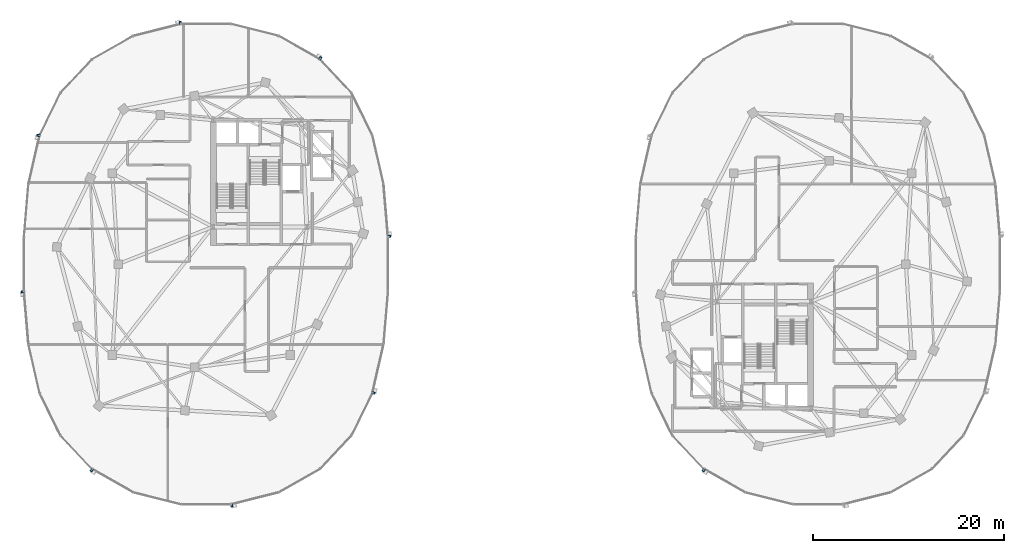
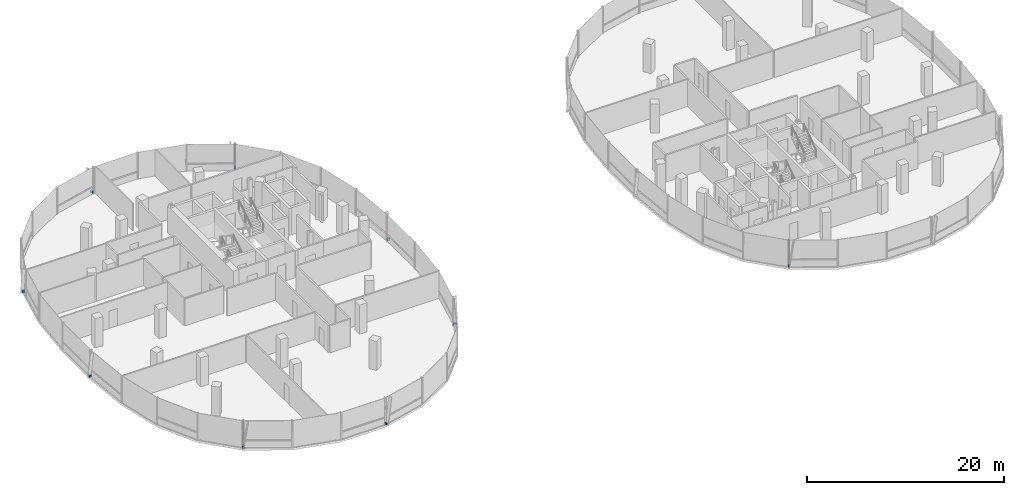
# One storey, part 19 of 25: 9 discrete accessories.
"""IFC4 building model written with IfcOpenShell, lengths in metres."""

from ifc_helpers import new_model, si_unit, direction, frame, origin, origin_2d, place, context, subcontext, project, spatial, rectangle, extrude, material, type_object, element, save


model = new_model("IFC4")

# Units and contexts
model_context = context("Model", 3, precision=1e-05, world=origin(), true_north=direction((0.0, 1.0)))
body_context = subcontext(model_context, "Body", "Model", "MODEL_VIEW")
ifc_project = project(units=[si_unit("LENGTHUNIT", "METRE"), si_unit("AREAUNIT", "SQUARE_METRE"), si_unit("VOLUMEUNIT", "CUBIC_METRE"), si_unit("PLANEANGLEUNIT", "RADIAN"), si_unit("MASSUNIT", "GRAM", prefix="KILO"), si_unit("THERMODYNAMICTEMPERATUREUNIT", "KELVIN"), si_unit("POWERUNIT", "WATT")], contexts=[model_context])

# Site, building, storey
site_placement = place(None, origin())
site = spatial("IfcSite", under=ifc_project, at=site_placement, CompositionType="ELEMENT")
building_placement = place(site_placement, origin())
building = spatial("IfcBuilding", under=site, at=building_placement, Name="Cundina Bronze Exchange", CompositionType="ELEMENT")
storey_placement = place(building_placement, frame((0.0, 0.0, 209.800048828125)))
storey = spatial("IfcBuildingStorey", under=building, at=storey_placement, Name="L55", CompositionType="ELEMENT", Elevation=209.800048828125)

# Discrete accessories
ifc_material = material(Name="Anodised Bronze Aluminium 6063-T6", Category="aluminium")
discrete_accessory_type = type_object("IfcDiscreteAccessoryType", Name="ACC-BRK-FIN", PredefinedType="BRACKET", material=ifc_material)
for number, where, z_axis, x_axis, name in (
    (1, (-12.84521484375, 2.893798828125, 0.10009765625), (0.0, 0.0, 1.0), (-0.083747411454, 0.996487015006, 0.0), "L55 Fin Support Bracket 1"),
    (2, (-20.038818359375, 21.539794921875, 0.10009765625), (0.0, 0.0, 1.0), (-0.869572506985, 0.493805280547, 0.0), "L55 Fin Support Bracket 5"),
    (3, (-34.678955078125, 25.23779296875, 0.10009765625), (0.0, 0.0, 1.0), (-0.969731542251, -0.244173577528, 0.0), "L55 Fin Support Bracket 1"),
    (4, (-49.529541015625, 13.468505859375, 0.10009765625), (0.0, 0.0, 1.0), (-0.223284141459, -0.974753400698, 0.0), "L55 Fin Support Bracket 5"),
    (5, (-51.15478515625, -2.893798828125, 0.10009765625), (0.0, 0.0, 1.0), (0.083747411454, -0.996487015006, 0.0), "L55 Fin Support Bracket 1"),
    (6, (-43.961181640625, -21.539794921875, 0.10009765625), (0.0, 0.0, 1.0), (0.869572506985, -0.493805280547, 0.0), "L55 Fin Support Bracket 5"),
    (7, (-29.321044921875, -25.23779296875, 0.10009765625), (0.0, 0.0, 1.0), (0.969731542251, 0.244173577528, 0.0), "L55 Fin Support Bracket 1"),
    (8, (-14.470458984375, -13.468505859375, 0.10009765625), (0.0, 0.0, 1.0), (0.223284141459, 0.974753400698, 0.0), "L55 Fin Support Bracket 5"),
    (9, (20.038818359375, -21.539794921875, 0.10009765625), (0.0, 0.0, 1.0), (0.869572506985, -0.493805280547, 0.0), "L55 Fin Support Bracket 5"),
):
    element("IfcDiscreteAccessory", number, at=place(storey_placement, frame(where, z_axis=z_axis, x_axis=x_axis)), inside=storey, type_object=discrete_accessory_type, Name=name, PredefinedType="BRACKET", context=body_context, shape_type="SweptSolid", body=[
        extrude(rectangle(XDim=0.219970703125, YDim=0.320068359375, at=origin_2d()), origin(), (0.0, 0.0, 1.0), 0.239990234375),
    ])

save(model, "model.ifc")
